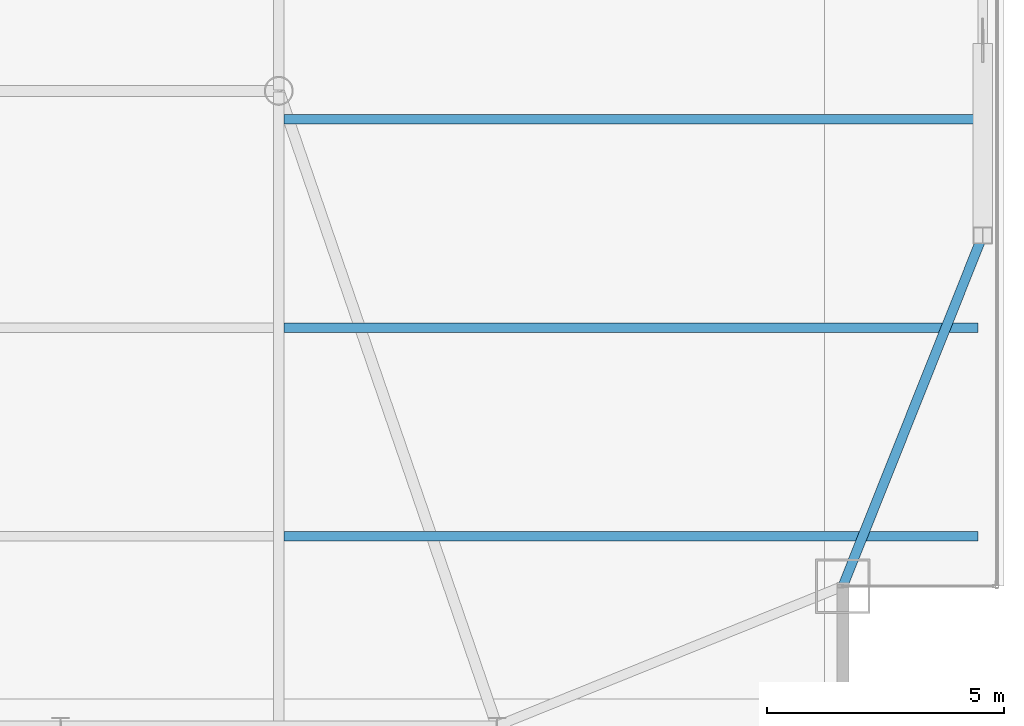
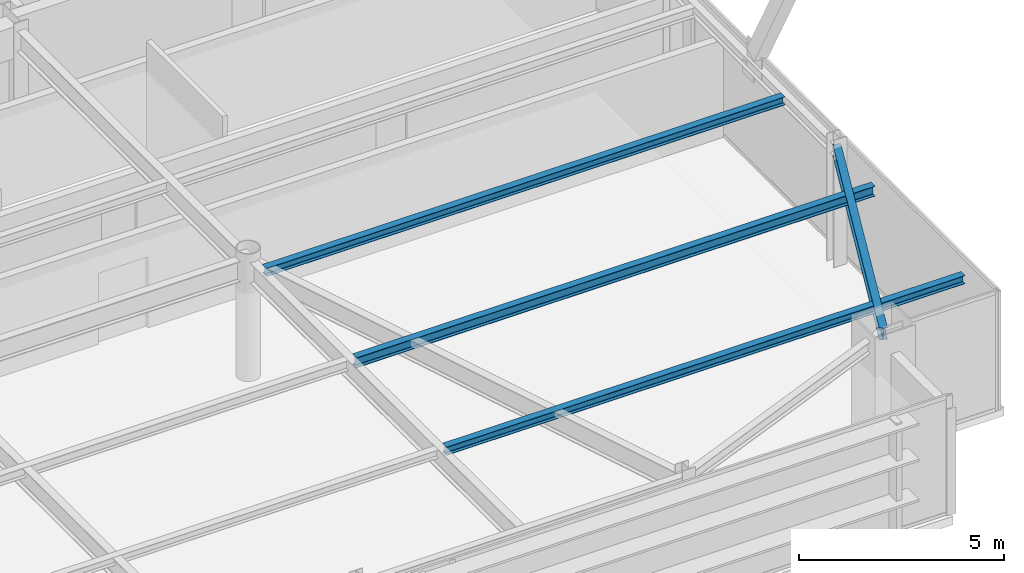
# One storey, part 12 of 26: 4 beams.
"""IFC4 building model written with IfcOpenShell, lengths in metres."""

import ifcopenshell
import ifcopenshell.guid

model = None  # the IFC model being written
_history = None  # IfcOwnerHistory: only IFC2X3 demands one
_inside = {}  # id of a spatial element -> (the spatial element, [elements in it])
_under = {}  # id of a project, library or spatial element -> (it, [spatial elements below it])
_declared = {}  # id of a project -> (the project, [libraries it declares])
_typed = {}  # id of a type object -> (the type object, [elements of that type])
_made_of = {}  # id of a material, layer set ... -> (it, [elements and type objects made of it])


def new_model(schema):
    """Start an empty IFC model of exactly this schema.

    Asked for "IFC4X3", IfcOpenShell would pick the latest addendum, in which some entities
    have other attributes; the version numbers below select the first issue.
    IFC2X3 requires an IfcOwnerHistory on every rooted entity: one is made here for all.
    """
    global model, _history
    if schema == "IFC4X3":
        model = ifcopenshell.file(schema_version=(4, 3, 0, 0))
    else:
        model = ifcopenshell.file(schema=schema)
    _inside.clear()
    _under.clear()
    _declared.clear()
    _typed.clear()
    _made_of.clear()
    _history = None
    if model.schema == "IFC2X3":
        org = make("IfcOrganization", Name="unknown")
        user = make(
            "IfcPersonAndOrganization",
            ThePerson=make("IfcPerson", FamilyName="unknown"),
            TheOrganization=org,
        )
        app = make(
            "IfcApplication",
            ApplicationDeveloper=org,
            Version="unknown",
            ApplicationFullName="unknown",
            ApplicationIdentifier="unknown",
        )
        _history = make(
            "IfcOwnerHistory",
            OwningUser=user,
            OwningApplication=app,
            ChangeAction="ADDED",
            CreationDate=0,
        )
    return model


def make(cls, **values):
    """One entity of the class cls with the attributes given. An attribute that is None is left unset."""
    return model.create_entity(
        cls, **{name: value for name, value in values.items() if value is not None}
    )


def rooted(cls, **values):
    """An entity with a GlobalId (a new one), such as an element, a storey or a relation."""
    return make(cls, GlobalId=ifcopenshell.guid.new(), OwnerHistory=_history, **values)


def si_unit(unit_type, name, prefix=None):
    """IfcSIUnit, for example si_unit("LENGTHUNIT", "METRE", prefix="MILLI")."""
    return make("IfcSIUnit", UnitType=unit_type, Prefix=prefix, Name=name)


def assignment(units):
    """IfcUnitAssignment: the units of a project."""
    return None if units is None else make("IfcUnitAssignment", Units=units)


def point(xyz):
    """IfcCartesianPoint."""
    return None if xyz is None else make("IfcCartesianPoint", Coordinates=xyz)


def direction(xyz):
    """IfcDirection."""
    return None if xyz is None else make("IfcDirection", DirectionRatios=xyz)


def frame(location, z_axis=None, x_axis=None):
    """IfcAxis2Placement3D, a coordinate frame: its origin and axes. An axis left out is left unset."""
    return make(
        "IfcAxis2Placement3D",
        Location=point(location),
        Axis=direction(z_axis),
        RefDirection=direction(x_axis),
    )


def frame_2d(location, x_axis=None):
    """IfcAxis2Placement2D, a coordinate frame in the plane: its origin and x axis."""
    return make(
        "IfcAxis2Placement2D", Location=point(location), RefDirection=direction(x_axis)
    )


def origin():
    """The frame at (0, 0, 0) with its axes left unset."""
    return frame((0.0, 0.0, 0.0))


def origin_2d():
    """The frame at (0, 0) in the plane with its x axis left unset."""
    return frame_2d((0.0, 0.0))


def place(relative_to, where):
    """IfcLocalPlacement: puts the frame where relative to a parent placement (None: the world)."""
    return make(
        "IfcLocalPlacement", PlacementRelTo=relative_to, RelativePlacement=where
    )


def context(
    kind, dimensions, precision=None, world=None, true_north=None, identifier=None
):
    """IfcGeometricRepresentationContext, for example the 3D "Model" context."""
    return make(
        "IfcGeometricRepresentationContext",
        ContextIdentifier=identifier,
        ContextType=kind,
        CoordinateSpaceDimension=dimensions,
        Precision=precision,
        WorldCoordinateSystem=world,
        TrueNorth=true_north,
    )


def subcontext(parent, identifier, kind, view, scale=None):
    """IfcGeometricRepresentationSubContext, for example "Body" below "Model"."""
    return make(
        "IfcGeometricRepresentationSubContext",
        ContextIdentifier=identifier,
        ContextType=kind,
        ParentContext=parent,
        TargetScale=scale,
        TargetView=view,
    )


def project(units=None, contexts=None):
    """IfcProject with its units and contexts."""
    return rooted(
        "IfcProject",
        Name="project",
        RepresentationContexts=contexts,
        UnitsInContext=assignment(units),
    )


def spatial(cls, under=None, at=None, **own):
    """A site, building, storey or space (cls), placed at a placement, below another one or the project."""
    s = rooted(cls, ObjectPlacement=at, **own)
    if under is not None:
        _under.setdefault(under.id(), (under, []))[1].append(s)
    return s


def profile(cls, at=None, kind="AREA", **sizes):
    """A parametric profile (cls). Its sizes go by their IFC names, for example OverallWidth=200.0."""
    return make(cls, ProfileType=kind, Position=at, **sizes)


def i_section(**sizes):
    """IfcIShapeProfileDef."""
    return profile("IfcIShapeProfileDef", **sizes)


def extrude(swept, where, along, depth):
    """IfcExtrudedAreaSolid: the profile swept, set in the frame where, extruded along a direction by depth."""
    return make(
        "IfcExtrudedAreaSolid",
        SweptArea=swept,
        Position=where,
        ExtrudedDirection=direction(along),
        Depth=depth,
    )


def shape(context_of_items, identifier, shape_type, items):
    """IfcShapeRepresentation: the items that make up one representation, for example the "Body"."""
    return make(
        "IfcShapeRepresentation",
        ContextOfItems=context_of_items,
        RepresentationIdentifier=identifier,
        RepresentationType=shape_type,
        Items=items,
    )


def source(mapping_origin, context_of_items, identifier, shape_type, items):
    """IfcRepresentationMap: a shape defined once, which mapped items show again and again."""
    return make(
        "IfcRepresentationMap",
        MappingOrigin=mapping_origin,
        MappedRepresentation=shape(context_of_items, identifier, shape_type, items),
    )


def transform(
    local_origin,
    x_axis=None,
    y_axis=None,
    z_axis=None,
    scale=None,
    scale2=None,
    scale3=None,
    uniform=True,
):
    """IfcCartesianTransformationOperator3D, or its non-uniform kind. x_axis, y_axis, z_axis: its Axis1, 2, 3."""
    if uniform:
        return make(
            "IfcCartesianTransformationOperator3D",
            Axis1=direction(x_axis),
            Axis2=direction(y_axis),
            LocalOrigin=point(local_origin),
            Scale=scale,
            Axis3=direction(z_axis),
        )
    return make(
        "IfcCartesianTransformationOperator3DnonUniform",
        Axis1=direction(x_axis),
        Axis2=direction(y_axis),
        LocalOrigin=point(local_origin),
        Scale=scale,
        Axis3=direction(z_axis),
        Scale2=scale2,
        Scale3=scale3,
    )


def mapped(mapping_source, mapping_target):
    """IfcMappedItem: shows the shape of a source again, moved by a transform."""
    return make(
        "IfcMappedItem", MappingSource=mapping_source, MappingTarget=mapping_target
    )


def material(Name=None, Category=None):
    """IfcMaterial."""
    return make("IfcMaterial", Name=Name, Category=Category)


def material_profile(
    of_material, cross_section, Name=None, Category=None, Priority=None
):
    """IfcMaterialProfile: a cross section and its material."""
    return make(
        "IfcMaterialProfile",
        Name=Name,
        Material=of_material,
        Profile=cross_section,
        Priority=Priority,
        Category=Category,
    )


def profile_set(profiles, Name=None, composite=None):
    """IfcMaterialProfileSet."""
    return make(
        "IfcMaterialProfileSet",
        Name=Name,
        MaterialProfiles=profiles,
        CompositeProfile=composite,
    )


def made_of(thing, what):
    """Note that an element or type object is made of a material, layer set ...; save() writes the relation."""
    if what is not None:
        _made_of.setdefault(what.id(), (what, []))[1].append(thing)
    return thing


def type_object(cls, material=None, **own):
    """A type object (cls), such as IfcWallType, which elements share."""
    return made_of(rooted(cls, **own), material)


def type_shapes(of_type, sources):
    """Give a type object the sources (RepresentationMaps) that its elements show as mapped items."""
    of_type.RepresentationMaps = sources


def element(
    cls,
    number,
    at=None,
    inside=None,
    cuts=None,
    type_object=None,
    material=None,
    context=None,
    identifier="Body",
    shape_type=None,
    held_by="IfcProductDefinitionShape",
    body=None,
    shapes=None,
    **own,
):
    """One element of the class cls, such as IfcWall. Its Tag is "e" and its number.

    at: its placement. inside: the storey or other place that contains it. cuts: it is an
    opening in that element (IfcRelVoidsElement). A single representation is given by context,
    identifier, shape_type and body (its items); several are given by shapes. held_by: the class
    of the entity that holds the representations. save() writes the other relations.
    """
    e = rooted(cls, Tag="e%d" % number, ObjectPlacement=at, **own)
    if body is not None:
        shapes = [shape(context, identifier, shape_type, body)]
    if shapes is not None:
        e.Representation = make(held_by, Representations=shapes)
    if inside is not None:
        _inside.setdefault(inside.id(), (inside, []))[1].append(e)
    if cuts is not None:
        rooted(
            "IfcRelVoidsElement", RelatingBuildingElement=cuts, RelatedOpeningElement=e
        )
    if type_object is not None:
        _typed.setdefault(type_object.id(), (type_object, []))[1].append(e)
    return made_of(e, material)


def aggregate(whole, parts):
    """IfcRelAggregates: a whole, such as a stair, and the parts it consists of."""
    return rooted("IfcRelAggregates", RelatingObject=whole, RelatedObjects=parts)


def save(model, path):
    """Write the relations noted so far, then the file.

    IfcRelAggregates (storeys below a building ...), IfcRelContainedInSpatialStructure (elements
    in a storey), IfcRelDefinesByType, IfcRelAssociatesMaterial and IfcRelDeclares: one each for
    every whole, place, type object, material and project.
    """
    for whole, parts in _under.values():
        aggregate(whole, parts)
    for where, things in _inside.values():
        rooted(
            "IfcRelContainedInSpatialStructure",
            RelatedElements=things,
            RelatingStructure=where,
        )
    for kind, things in _typed.values():
        rooted("IfcRelDefinesByType", RelatedObjects=things, RelatingType=kind)
    for what, things in _made_of.values():
        rooted("IfcRelAssociatesMaterial", RelatedObjects=things, RelatingMaterial=what)
    for by, libraries in _declared.values():
        rooted("IfcRelDeclares", RelatingContext=by, RelatedDefinitions=libraries)
    model.write(path)


model = new_model("IFC4")

# Units and contexts
model_context = context("Model", 3, precision=1e-05, world=origin(), true_north=direction((0.0, 1.0)))
body_context = subcontext(model_context, "Body", "Model", "MODEL_VIEW")
ifc_project = project(units=[si_unit("LENGTHUNIT", "METRE"), si_unit("AREAUNIT", "SQUARE_METRE"), si_unit("VOLUMEUNIT", "CUBIC_METRE"), si_unit("PLANEANGLEUNIT", "RADIAN"), si_unit("MASSUNIT", "GRAM", prefix="KILO")], contexts=[model_context])

# Site, building, storey
site_placement = place(None, origin())
site = spatial("IfcSite", under=ifc_project, at=site_placement, CompositionType="ELEMENT")
building_placement = place(site_placement, origin())
building = spatial("IfcBuilding", under=site, at=building_placement, Name="Varnel Quay Broadcast Tower", CompositionType="ELEMENT")
storey_placement = place(building_placement, frame((0.0, 0.0, 218.800048828125)))
storey = spatial("IfcBuildingStorey", under=building, at=storey_placement, Name="L54", CompositionType="ELEMENT", Elevation=218.800048828125)

# Beams
ifc_material = material(Name="Structural Steel CSA G40.21 350W", Category="steel")
ifc_material_profile_1 = material_profile(ifc_material, i_section(OverallWidth=0.205078125, OverallDepth=0.35400390625, WebThickness=0.009521484375, FlangeThickness=0.016845703125, FilletRadius=0.012939453125, at=origin_2d()), Name="W360X79")
ifc_profile_set_1 = profile_set([ifc_material_profile_1], Name="Structural Steel CSA G40.21 350W")
beam_type_1 = type_object("IfcBeamType", Name="Beam_W360X79", PredefinedType="SPANDREL", material=ifc_profile_set_1)
shared_shape_1 = source(origin(), body_context, "Body", "SweptSolid", [
    extrude(i_section(OverallWidth=0.205078125, OverallDepth=0.35400390625, WebThickness=0.009521484375, FlangeThickness=0.016845703125, FilletRadius=0.012939453125, at=origin_2d()), origin(), (0.0, 0.0, 1.0), 7.92626953125),
])
type_shapes(beam_type_1, [shared_shape_1])
beam_1_placement = place(storey_placement, frame((55.107421875, 13.61865234375, 3.373046875), z_axis=(0.370296431883, 0.928913641053, 0.0), x_axis=(-0.928913641053, 0.370296431883, 0.0)))
element("IfcBeam", 1, at=beam_1_placement, inside=storey, type_object=beam_type_1, Name="L54 East Spandrel MC-SE-TC-E1", PredefinedType="SPANDREL", context=body_context, shape_type="MappedRepresentation", body=[
    mapped(shared_shape_1, transform((0.0, 0.0, 0.0), x_axis=(1.0, 0.0, 0.0), y_axis=(0.0, 1.0, 0.0), z_axis=(0.0, 0.0, 1.0), scale=1.0)),
])
ifc_material_profile_2 = material_profile(ifc_material, i_section(OverallWidth=0.201904296875, OverallDepth=0.2470703125, WebThickness=0.00732421875, FlangeThickness=0.010986328125, FilletRadius=0.010986328125, at=origin_2d()), Name="W250X49")
ifc_profile_set_2 = profile_set([ifc_material_profile_2], Name="Structural Steel CSA G40.21 350W")
beam_type_2 = type_object("IfcBeamType", Name="Beam_W250X49", PredefinedType="JOIST", material=ifc_profile_set_2)
shared_shape_2 = source(origin(), body_context, "Body", "SweptSolid", [
    extrude(i_section(OverallWidth=0.201904296875, OverallDepth=0.2470703125, WebThickness=0.00732421875, FlangeThickness=0.010986328125, FilletRadius=0.010986328125, at=origin_2d()), origin(), (0.0, 0.0, 1.0), 14.642333984375),
])
type_shapes(beam_type_2, [shared_shape_2])
for number, where, z_axis, x_axis, name in (
    (2, (43.31005859375, 14.64990234375, 3.426513671875), (1.0, 0.0, 0.0), (0.0, 1.0, 0.0), "L54 East Floor Joist 1"),
    (3, (43.31005859375, 23.449951171875, 3.426513671875), (1.0, 0.0, 0.0), (0.0, 1.0, 0.0), "L54 East Floor Joist 3"),
):
    element("IfcBeam", number, at=place(storey_placement, frame(where, z_axis=z_axis, x_axis=x_axis)), inside=storey, type_object=beam_type_2, Name=name, PredefinedType="JOIST", context=body_context, shape_type="MappedRepresentation", body=[
        mapped(shared_shape_2, transform((0.0, 0.0, 0.0), x_axis=(1.0, 0.0, 0.0), y_axis=(0.0, 1.0, 0.0), z_axis=(0.0, 0.0, 1.0), scale=1.0)),
    ])
ifc_material_profile_3 = material_profile(ifc_material, i_section(OverallWidth=0.202880859375, OverallDepth=0.302978515625, WebThickness=0.007568359375, FlangeThickness=0.01318359375, FilletRadius=0.011962890625, at=origin_2d()), Name="W310X60")
ifc_profile_set_3 = profile_set([ifc_material_profile_3], Name="Structural Steel CSA G40.21 350W")
beam_type_3 = type_object("IfcBeamType", Name="Beam_W310X60", PredefinedType="JOIST", material=ifc_profile_set_3)
shared_shape_3 = source(origin(), body_context, "Body", "SweptSolid", [
    extrude(i_section(OverallWidth=0.202880859375, OverallDepth=0.302978515625, WebThickness=0.007568359375, FlangeThickness=0.01318359375, FilletRadius=0.011962890625, at=origin_2d()), origin(), (0.0, 0.0, 1.0), 14.642333984375),
])
type_shapes(beam_type_3, [shared_shape_3])
beam_2_placement = place(storey_placement, frame((43.31005859375, 19.050048828125, 3.3984375), z_axis=(1.0, 0.0, 0.0), x_axis=(0.0, 1.0, 0.0)))
element("IfcBeam", 4, at=beam_2_placement, inside=storey, type_object=beam_type_3, Name="L54 East Floor Joist 2", PredefinedType="JOIST", context=body_context, shape_type="MappedRepresentation", body=[
    mapped(shared_shape_3, transform((0.0, 0.0, 0.0), x_axis=(1.0, 0.0, 0.0), y_axis=(0.0, 1.0, 0.0), z_axis=(0.0, 0.0, 1.0), scale=1.0)),
])

save(model, "model.ifc")
